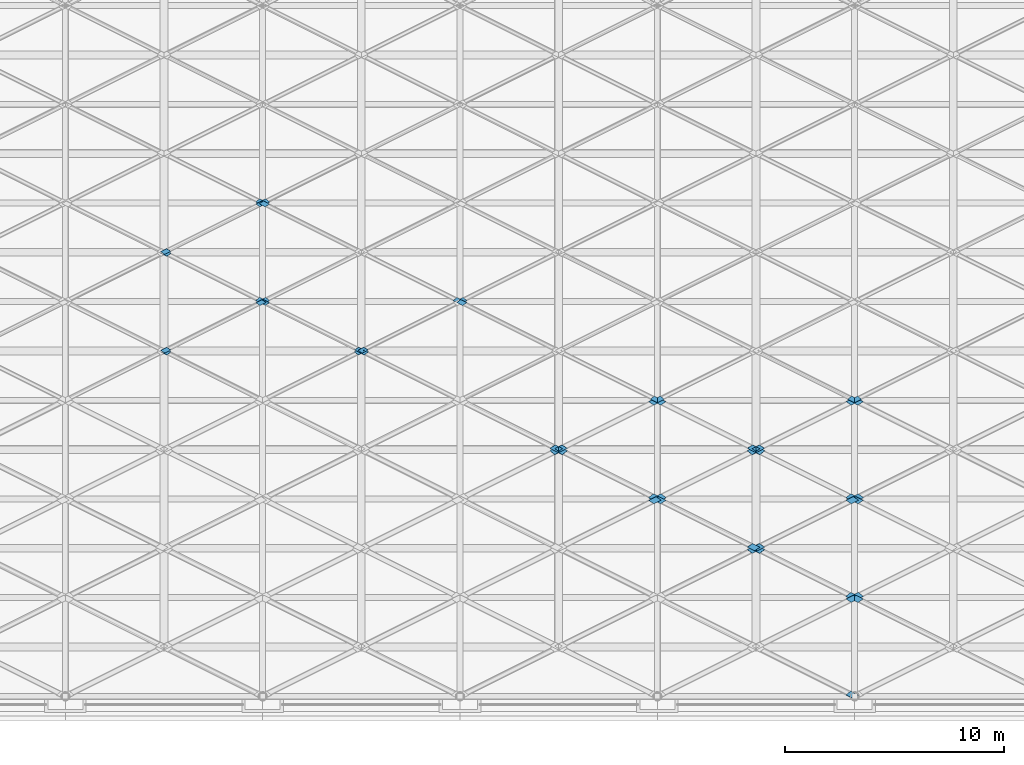
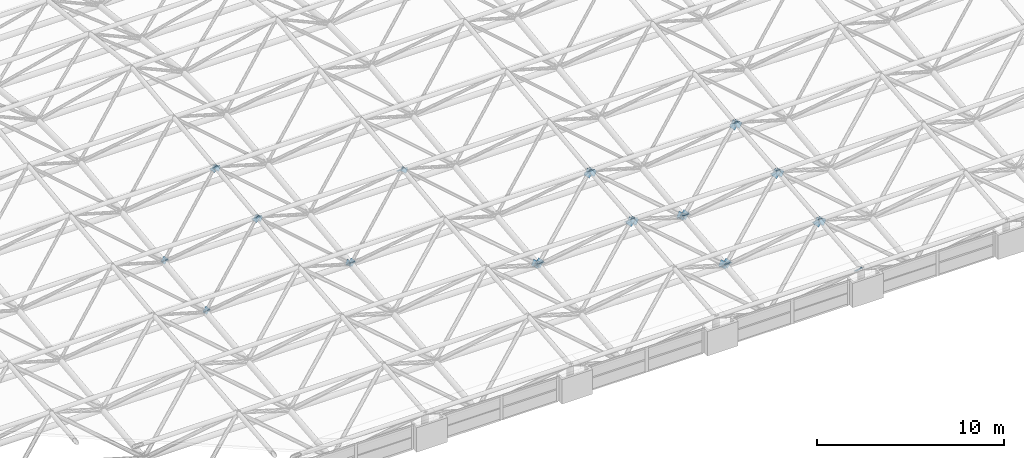
# One storey, part 32 of 53: 52 discrete accessories.
"""IFC4 building model written with IfcOpenShell, lengths in metres."""

from ifc_helpers import new_model, si_unit, direction, frame, origin, place, context, subcontext, project, spatial, polyline, outline, extrude, material, layer, layer_set, type_object, element, save


model = new_model("IFC4")

# Units and contexts
model_context = context("Model", 3, precision=1e-05, world=origin(), true_north=direction((0.0, 1.0)))
body_context = subcontext(model_context, "Body", "Model", "MODEL_VIEW")
ifc_project = project(units=[si_unit("LENGTHUNIT", "METRE"), si_unit("AREAUNIT", "SQUARE_METRE"), si_unit("VOLUMEUNIT", "CUBIC_METRE"), si_unit("PLANEANGLEUNIT", "RADIAN"), si_unit("MASSUNIT", "GRAM", prefix="KILO")], contexts=[model_context])

# Site, building, storey
site_placement = place(None, origin())
site = spatial("IfcSite", under=ifc_project, at=site_placement, CompositionType="ELEMENT")
building_placement = place(site_placement, origin())
building = spatial("IfcBuilding", under=site, at=building_placement, Name="Aravalli Gate Trade Fair Centre", CompositionType="ELEMENT")
storey_placement = place(building_placement, frame((0.0, 0.0, 25.199951171875)))
storey = spatial("IfcBuildingStorey", under=building, at=storey_placement, Name="ROOF LEVEL 2", CompositionType="ELEMENT", Elevation=25.199951171875)

# Discrete accessories
ifc_material = material(Name="Steel E350", Category="steel")
ifc_layer_1 = layer(ifc_material, 0.011962890625)
ifc_layer_set_1 = layer_set([ifc_layer_1], Name="Steel E350")
discrete_accessory_type_1 = type_object("IfcDiscreteAccessoryType", Name="Gusset plate 291 x 291 x 12", PredefinedType="USERDEFINED", material=ifc_layer_set_1)
discrete_accessory_1_placement = place(storey_placement, frame((46.181884765625, 61.713134765625, 0.479248046875), z_axis=(0.000260921892, 0.770886805608, 0.636972106814), x_axis=(0.786233024012, 0.393446097564, -0.476484837392)))
element("IfcDiscreteAccessory", 1, at=discrete_accessory_1_placement, inside=storey, type_object=discrete_accessory_type_1, Name="Gusset plate Space frame web diagonal D2A end B", ObjectType="GUSSET PLATE", PredefinedType="USERDEFINED", context=body_context, shape_type="SweptSolid", body=[
    extrude(outline(polyline([(0.0, 0.0), (0.3704496717105797, -1.3877787807814457e-17), (0.37041105616888137, -0.29044341854454775), (-0.00023056696357631745, -0.2902925567125407), (0.0, 0.0)])), origin(), (0.0, 0.0, -1.0), 0.011962890625),
])
for number, where, z_axis, x_axis, name in (
    (2, (60.138916015625, 59.691650390625, 2.92724609375), (-6.9765199e-05, 0.771154883137, 0.636647580178), (-0.786484474244, -0.393242254842, 0.476238071536), "Gusset plate Space frame web diagonal D2A end A"),
    (3, (69.138916015625, 59.691650390625, 2.92724609375), (-6.9765199e-05, 0.771154883137, 0.636647580178), (-0.786484474244, -0.393242254842, 0.476238071536), "Gusset plate Space frame web diagonal D2A end A"),
    (4, (42.138916015625, 64.191650390625, 3.477294921875), (-6.9765199e-05, 0.771154883137, 0.636647580178), (-0.786484474244, -0.393242254842, 0.476238071536), "Gusset plate Space frame web diagonal D2A end A"),
    (5, (51.138916015625, 64.191650390625, 3.477294921875), (-6.9765199e-05, 0.771154883137, 0.636647580178), (-0.786484474244, -0.393242254842, 0.476238071536), "Gusset plate Space frame web diagonal D2A end A"),
):
    element("IfcDiscreteAccessory", number, at=place(storey_placement, frame(where, z_axis=z_axis, x_axis=x_axis)), inside=storey, type_object=discrete_accessory_type_1, Name=name, ObjectType="GUSSET PLATE", PredefinedType="USERDEFINED", context=body_context, shape_type="SweptSolid", body=[
        extrude(outline(polyline([(0.0, 0.0), (0.37064165383501635, -1.3877787807814457e-17), (0.3706783195979393, 0.29059144692340316), (0.00022867857401766278, 0.2904406632211646), (0.0, 0.0)])), origin(), (0.0, 0.0, -1.0), 0.011962890625),
    ])
for number, where, z_axis, x_axis, name in (
    (6, (37.638916015625, 61.567626953125, 0.6552734375), (-0.000260921892, 0.770886805608, 0.636972106814), (-0.786484474223, 0.393242170877, -0.476238140902), "Gusset plate Space frame web diagonal D2B end B"),
    (7, (46.638916015625, 61.567626953125, 0.6552734375), (-0.000260921892, 0.770886805608, 0.636972106814), (-0.786484474223, 0.393242170877, -0.476238140902), "Gusset plate Space frame web diagonal D2B end B"),
):
    element("IfcDiscreteAccessory", number, at=place(storey_placement, frame(where, z_axis=z_axis, x_axis=x_axis)), inside=storey, type_object=discrete_accessory_type_1, Name=name, ObjectType="GUSSET PLATE", PredefinedType="USERDEFINED", context=body_context, shape_type="SweptSolid", body=[
        extrude(outline(polyline([(0.0, 0.0), (0.37064165383501513, 1.3877787807814457e-17), (0.37056205053393565, -0.29044341020294784), (0.00011240951001027788, -0.2902926265131968), (0.0, 0.0)])), origin(), (0.0, 0.0, -1.0), 0.011962890625),
    ])
for number, where, z_axis, x_axis, name in (
    (8, (59.681884765625, 59.546142578125, 3.103515625), (6.9765199e-05, 0.771154883137, 0.636647580178), (0.786233023991, -0.393446013556, 0.476484906794), "Gusset plate Space frame web diagonal D2B end A"),
    (9, (68.681884765625, 59.546142578125, 3.103515625), (6.9765199e-05, 0.771154883137, 0.636647580178), (0.786233023991, -0.393446013556, 0.476484906794), "Gusset plate Space frame web diagonal D2B end A"),
    (10, (41.681884765625, 64.046142578125, 3.653564453125), (6.9765199e-05, 0.771154883137, 0.636647580178), (0.786233023991, -0.393446013556, 0.476484906794), "Gusset plate Space frame web diagonal D2B end A"),
):
    element("IfcDiscreteAccessory", number, at=place(storey_placement, frame(where, z_axis=z_axis, x_axis=x_axis)), inside=storey, type_object=discrete_accessory_type_1, Name=name, ObjectType="GUSSET PLATE", PredefinedType="USERDEFINED", context=body_context, shape_type="SweptSolid", body=[
        extrude(outline(polyline([(0.0, 0.0), (0.37044967171058096, 2.7755575615628914e-17), (0.3702947268495056, 0.290591407927876), (-0.0003468962829482891, 0.29044054608337494), (0.0, 0.0)])), origin(), (0.0, 0.0, -1.0), 0.011962890625),
    ])
discrete_accessory_2_placement = place(storey_placement, frame((37.638916015625, 66.067626953125, 1.205322265625), z_axis=(6.9765199e-05, 0.771154883137, 0.636647580178), x_axis=(-0.786484474244, 0.393242254842, -0.476238071536)))
element("IfcDiscreteAccessory", 11, at=discrete_accessory_2_placement, inside=storey, type_object=discrete_accessory_type_1, Name="Gusset plate Space frame web diagonal D2B end B", ObjectType="GUSSET PLATE", PredefinedType="USERDEFINED", context=body_context, shape_type="SweptSolid", body=[
    extrude(outline(polyline([(0.0, 0.0), (0.37064165383501635, 1.3877787807814457e-17), (0.3706783195979393, -0.29059144692340316), (0.00022867857401766278, -0.2904406632211646), (0.0, 0.0)])), origin(), (0.0, 0.0, -1.0), 0.011962890625),
])
discrete_accessory_3_placement = place(storey_placement, frame((50.681884765625, 64.046142578125, 3.653564453125), z_axis=(6.9765199e-05, 0.771154883137, 0.636647580178), x_axis=(0.786233023991, -0.393446013556, 0.476484906794)))
element("IfcDiscreteAccessory", 12, at=discrete_accessory_3_placement, inside=storey, type_object=discrete_accessory_type_1, Name="Gusset plate Space frame web diagonal D2B end A", ObjectType="GUSSET PLATE", PredefinedType="USERDEFINED", context=body_context, shape_type="SweptSolid", body=[
    extrude(outline(polyline([(0.0, 0.0), (0.37044967171058096, 2.7755575615628914e-17), (0.3702947268495056, 0.290591407927876), (-0.0003468962829482891, 0.29044054608337494), (0.0, 0.0)])), origin(), (0.0, 0.0, -1.0), 0.011962890625),
])
discrete_accessory_4_placement = place(storey_placement, frame((42.12158203125, 63.824462890625, 3.455078125), z_axis=(-5.9235462e-05, -0.824355565608, 0.566072343383), x_axis=(-0.74910175115, 0.37503400761, 0.546073309694)))
element("IfcDiscreteAccessory", 13, at=discrete_accessory_4_placement, inside=storey, type_object=discrete_accessory_type_1, Name="Gusset plate Space frame web diagonal D2C end A", ObjectType="GUSSET PLATE", PredefinedType="USERDEFINED", context=body_context, shape_type="SweptSolid", body=[
    extrude(outline(polyline([(0.0, 0.0), (0.37056099002046733, -1.3877787807814457e-17), (0.3708571273038952, -0.29037522366126584), (0.00024656979283793623, -0.29068772448272373), (0.0, 0.0)])), origin(), (0.0, 0.0, -1.0), 0.011962890625),
])
discrete_accessory_5_placement = place(storey_placement, frame((46.18603515625, 61.792236328125, 0.4970703125), z_axis=(-0.000338926475, -0.824215745649, 0.566275807141), x_axis=(0.749929468437, -0.374811008577, -0.545089442403)))
element("IfcDiscreteAccessory", 14, at=discrete_accessory_5_placement, inside=storey, type_object=discrete_accessory_type_1, Name="Gusset plate Space frame web diagonal D2C end B", ObjectType="GUSSET PLATE", PredefinedType="USERDEFINED", context=body_context, shape_type="SweptSolid", body=[
    extrude(outline(polyline([(0.0, 0.0), (0.3704775800363668, 1.3877787807814457e-17), (0.37054452148215117, 0.29037536695413646), (0.00011695121776518491, 0.29068780553250784), (0.0, 0.0)])), origin(), (0.0, 0.0, -1.0), 0.011962890625),
])
discrete_accessory_6_placement = place(storey_placement, frame((51.12158203125, 63.824462890625, 3.455078125), z_axis=(-5.9235462e-05, -0.824355565608, 0.566072343383), x_axis=(-0.74910175115, 0.37503400761, 0.546073309694)))
element("IfcDiscreteAccessory", 15, at=discrete_accessory_6_placement, inside=storey, type_object=discrete_accessory_type_1, Name="Gusset plate Space frame web diagonal D2C end A", ObjectType="GUSSET PLATE", PredefinedType="USERDEFINED", context=body_context, shape_type="SweptSolid", body=[
    extrude(outline(polyline([(0.0, 0.0), (0.37056099002046733, -1.3877787807814457e-17), (0.3708571273038952, -0.29037522366126584), (0.00024656979283793623, -0.29068772448272373), (0.0, 0.0)])), origin(), (0.0, 0.0, -1.0), 0.011962890625),
])
discrete_accessory_7_placement = place(storey_placement, frame((42.12158203125, 68.324462890625, 4.005126953125), z_axis=(-5.9235462e-05, -0.824355565608, 0.566072343383), x_axis=(-0.74937131646, 0.374861397834, 0.545821914622)))
element("IfcDiscreteAccessory", 16, at=discrete_accessory_7_placement, inside=storey, type_object=discrete_accessory_type_1, Name="Gusset plate Space frame web diagonal D2C end A", ObjectType="GUSSET PLATE", PredefinedType="USERDEFINED", context=body_context, shape_type="SweptSolid", body=[
    extrude(outline(polyline([(0.0, 0.0), (0.3704277020236978, 0.0), (0.37073891027907924, -0.290526143046557), (-5.001029550574798e-06, -0.29053697785674903), (0.0, 0.0)])), origin(), (0.0, 0.0, -1.0), 0.011962890625),
])
discrete_accessory_8_placement = place(storey_placement, frame((41.68603515625, 63.94775390625, 3.634765625), z_axis=(5.9235462e-05, -0.824355565608, 0.566072343383), x_axis=(0.749660070237, 0.374676343996, 0.545552395598)))
element("IfcDiscreteAccessory", 17, at=discrete_accessory_8_placement, inside=storey, type_object=discrete_accessory_type_1, Name="Gusset plate Space frame web diagonal D2D end A", ObjectType="GUSSET PLATE", PredefinedType="USERDEFINED", context=body_context, shape_type="SweptSolid", body=[
    extrude(outline(polyline([(0.0, 0.0), (0.3706106892622231, -1.3877787807814457e-17), (0.3705593979521325, -0.2903753701380719), (-1.4603348369723879e-06, -0.29068782905287593), (0.0, 0.0)])), origin(), (0.0, 0.0, -1.0), 0.011962890625),
])
for number, where, z_axis, x_axis, name in (
    (18, (37.62158203125, 61.91552734375, 0.6767578125), (0.000338926475, -0.824215745649, 0.566275807141), (-0.74937124219, -0.375168906268, -0.545610697428), "Gusset plate Space frame web diagonal D2D end B"),
    (19, (46.62158203125, 61.91552734375, 0.6767578125), (0.000338926475, -0.824215745649, 0.566275807141), (-0.74937124219, -0.375168906268, -0.545610697428), "Gusset plate Space frame web diagonal D2D end B"),
):
    element("IfcDiscreteAccessory", number, at=place(storey_placement, frame(where, z_axis=z_axis, x_axis=x_axis)), inside=storey, type_object=discrete_accessory_type_1, Name=name, ObjectType="GUSSET PLATE", PredefinedType="USERDEFINED", context=body_context, shape_type="SweptSolid", body=[
        extrude(outline(polyline([(0.0, 0.0), (0.3704277020281311, 2.7755575615628914e-17), (0.37060567875441897, 0.29037532012757467), (0.00012823049953920862, 0.29068780077573153), (0.0, 0.0)])), origin(), (0.0, 0.0, -1.0), 0.011962890625),
    ])
discrete_accessory_9_placement = place(storey_placement, frame((41.68603515625, 68.44775390625, 4.1845703125), z_axis=(5.9235462e-05, -0.824355565608, 0.566072343383), x_axis=(0.749390667151, 0.374849001628, 0.545803860343)))
element("IfcDiscreteAccessory", 20, at=discrete_accessory_9_placement, inside=storey, type_object=discrete_accessory_type_1, Name="Gusset plate Space frame web diagonal D2D end A", ObjectType="GUSSET PLATE", PredefinedType="USERDEFINED", context=body_context, shape_type="SweptSolid", body=[
    extrude(outline(polyline([(0.0, 0.0), (0.37074391146695085, 0.0), (0.3704411936966931, -0.2905261520174016), (1.3491831181253189e-05, -0.2905369775865267), (0.0, 0.0)])), origin(), (0.0, 0.0, -1.0), 0.011962890625),
])
discrete_accessory_10_placement = place(storey_placement, frame((37.62158203125, 66.41552734375, 1.226806640625), z_axis=(0.000356491483, -0.824386555112, 0.566027102411), x_axis=(-0.749371292409, -0.375015088164, -0.54571636384)))
element("IfcDiscreteAccessory", 21, at=discrete_accessory_10_placement, inside=storey, type_object=discrete_accessory_type_1, Name="Gusset plate Space frame web diagonal D2D end B", ObjectType="GUSSET PLATE", PredefinedType="USERDEFINED", context=body_context, shape_type="SweptSolid", body=[
    extrude(outline(polyline([(0.0, 0.0), (0.3704277084701571, 1.3877787807814457e-17), (0.3707389038272042, 0.29052615127976134), (0.00012824338136119273, 0.2906878089792164), (0.0, 0.0)])), origin(), (0.0, 0.0, -1.0), 0.011962890625),
])
discrete_accessory_11_placement = place(storey_placement, frame((42.138671875, 68.69140625, 4.027099609375), z_axis=(0.000259688153, 0.77158167438, 0.636130216483), x_axis=(-0.786189750281, -0.392961505637, 0.476955901148)))
element("IfcDiscreteAccessory", 22, at=discrete_accessory_11_placement, inside=storey, type_object=discrete_accessory_type_1, Name="Gusset plate Space frame web diagonal D3A end A", ObjectType="GUSSET PLATE", PredefinedType="USERDEFINED", context=body_context, shape_type="SweptSolid", body=[
    extrude(outline(polyline([(0.0, 0.0), (0.37047009323158403, -1.3877787807814457e-17), (0.3706453255393415, 0.29059138113822636), (7.929444017017173e-05, 0.29046925152010133), (0.0, 0.0)])), origin(), (0.0, 0.0, -1.0), 0.011962890625),
])
discrete_accessory_12_placement = place(storey_placement, frame((41.681884765625, 68.546142578125, 4.203369140625), z_axis=(-0.000259688153, 0.77158167438, 0.636130216483), x_axis=(0.785986034617, -0.393126352276, 0.477155765483)))
element("IfcDiscreteAccessory", 23, at=discrete_accessory_12_placement, inside=storey, type_object=discrete_accessory_type_1, Name="Gusset plate Space frame web diagonal D3B end A", ObjectType="GUSSET PLATE", PredefinedType="USERDEFINED", context=body_context, shape_type="SweptSolid", body=[
    extrude(outline(polyline([(0.0, 0.0), (0.3705660512246577, 1.3877787807814457e-17), (0.3702950470274762, 0.2905913076038385), (-0.0001750260838329909, 0.2904692096111498), (0.0, 0.0)])), origin(), (0.0, 0.0, -1.0), 0.011962890625),
])
ifc_layer_2 = layer(ifc_material, 0.011962890625)
ifc_layer_set_2 = layer_set([ifc_layer_2], Name="Steel E350")
discrete_accessory_type_2 = type_object("IfcDiscreteAccessoryType", Name="Gusset plate 367 x 367 x 12", PredefinedType="USERDEFINED", material=ifc_layer_set_2)
discrete_accessory_13_placement = place(storey_placement, frame((64.0986328125, 52.701416015625, -0.45556640625), z_axis=(-0.000106895173, 0.77673595722, 0.629826358082), x_axis=(0.783044443413, 0.391795440284, -0.483050445204)))
element("IfcDiscreteAccessory", 24, at=discrete_accessory_13_placement, inside=storey, type_object=discrete_accessory_type_2, Name="Gusset plate Space frame web diagonal D1A end B", ObjectType="GUSSET PLATE", PredefinedType="USERDEFINED", context=body_context, shape_type="SweptSolid", body=[
    extrude(outline(polyline([(0.0, 0.0), (0.4467862821424865, 0.0), (0.4468639253124893, -0.3669184164565776), (7.764317000273635e-05, -0.36691841645657763), (0.0, 0.0)])), origin(), (0.0, 0.0, -1.0), 0.011962890625),
])
discrete_accessory_14_placement = place(storey_placement, frame((69.173095703125, 50.73876953125, 1.965087890625), z_axis=(-0.000106895173, 0.77673595722, 0.629826358082), x_axis=(-0.783044443413, -0.391795440284, 0.483050445204)))
element("IfcDiscreteAccessory", 25, at=discrete_accessory_14_placement, inside=storey, type_object=discrete_accessory_type_2, Name="Gusset plate Space frame web diagonal D1A end A", ObjectType="GUSSET PLATE", PredefinedType="USERDEFINED", context=body_context, shape_type="SweptSolid", body=[
    extrude(outline(polyline([(0.0, 0.0), (0.4467862821424865, 0.0), (0.4467086389724838, 0.36691841645657763), (-7.764317000273635e-05, 0.36691841645657763), (0.0, 0.0)])), origin(), (0.0, 0.0, -1.0), 0.011962890625),
])
discrete_accessory_15_placement = place(storey_placement, frame((55.0986328125, 57.201416015625, -0.005615234375), z_axis=(-0.000106895173, 0.77673595722, 0.629826358082), x_axis=(0.783044443413, 0.391795440284, -0.483050445204)))
element("IfcDiscreteAccessory", 26, at=discrete_accessory_15_placement, inside=storey, type_object=discrete_accessory_type_2, Name="Gusset plate Space frame web diagonal D1A end B", ObjectType="GUSSET PLATE", PredefinedType="USERDEFINED", context=body_context, shape_type="SweptSolid", body=[
    extrude(outline(polyline([(0.0, 0.0), (0.4467862821424865, 0.0), (0.4468639253124893, -0.3669184164565776), (7.764317000273635e-05, -0.36691841645657763), (0.0, 0.0)])), origin(), (0.0, 0.0, -1.0), 0.011962890625),
])
discrete_accessory_16_placement = place(storey_placement, frame((60.173095703125, 55.23876953125, 2.4150390625), z_axis=(-0.000106895173, 0.77673595722, 0.629826358082), x_axis=(-0.783044443413, -0.391795440284, 0.483050445204)))
element("IfcDiscreteAccessory", 27, at=discrete_accessory_16_placement, inside=storey, type_object=discrete_accessory_type_2, Name="Gusset plate Space frame web diagonal D1A end A", ObjectType="GUSSET PLATE", PredefinedType="USERDEFINED", context=body_context, shape_type="SweptSolid", body=[
    extrude(outline(polyline([(0.0, 0.0), (0.4467862821424865, 0.0), (0.4467086389724838, 0.36691841645657763), (-7.764317000273635e-05, 0.36691841645657763), (0.0, 0.0)])), origin(), (0.0, 0.0, -1.0), 0.011962890625),
])
discrete_accessory_17_placement = place(storey_placement, frame((64.0986328125, 57.201416015625, -0.005615234375), z_axis=(-0.000106895173, 0.77673595722, 0.629826358082), x_axis=(0.783044443413, 0.391795440284, -0.483050445204)))
element("IfcDiscreteAccessory", 28, at=discrete_accessory_17_placement, inside=storey, type_object=discrete_accessory_type_2, Name="Gusset plate Space frame web diagonal D1A end B", ObjectType="GUSSET PLATE", PredefinedType="USERDEFINED", context=body_context, shape_type="SweptSolid", body=[
    extrude(outline(polyline([(0.0, 0.0), (0.4467862821424865, 0.0), (0.4468639253124893, -0.3669184164565776), (7.764317000273635e-05, -0.36691841645657763), (0.0, 0.0)])), origin(), (0.0, 0.0, -1.0), 0.011962890625),
])
discrete_accessory_18_placement = place(storey_placement, frame((69.173095703125, 55.23876953125, 2.4150390625), z_axis=(-0.000106895173, 0.77673595722, 0.629826358082), x_axis=(-0.783044443413, -0.391795440284, 0.483050445204)))
element("IfcDiscreteAccessory", 29, at=discrete_accessory_18_placement, inside=storey, type_object=discrete_accessory_type_2, Name="Gusset plate Space frame web diagonal D1A end A", ObjectType="GUSSET PLATE", PredefinedType="USERDEFINED", context=body_context, shape_type="SweptSolid", body=[
    extrude(outline(polyline([(0.0, 0.0), (0.4467862821424865, 0.0), (0.4467086389724838, 0.36691841645657763), (-7.764317000273635e-05, 0.36691841645657763), (0.0, 0.0)])), origin(), (0.0, 0.0, -1.0), 0.011962890625),
])
for number, where, z_axis, x_axis, name in (
    (30, (68.5986328125, 46.057861328125, 1.73828125), (0.000106895173, 0.77673595722, 0.629826358082), (0.783044443413, -0.391795440284, 0.483050445204), "Gusset plate Space frame web diagonal D1B end A"),
    (31, (68.5986328125, 50.557861328125, 2.188232421875), (0.000106895173, 0.77673595722, 0.629826358082), (0.783044443413, -0.391795440284, 0.483050445204), "Gusset plate Space frame web diagonal D1B end A"),
):
    element("IfcDiscreteAccessory", number, at=place(storey_placement, frame(where, z_axis=z_axis, x_axis=x_axis)), inside=storey, type_object=discrete_accessory_type_2, Name=name, ObjectType="GUSSET PLATE", PredefinedType="USERDEFINED", context=body_context, shape_type="SweptSolid", body=[
        extrude(outline(polyline([(0.0, 0.0), (0.4467862821424865, 0.0), (0.4468639253124893, 0.3669184164565776), (7.764317000273635e-05, 0.36691841645657763), (0.0, 0.0)])), origin(), (0.0, 0.0, -1.0), 0.011962890625),
    ])
discrete_accessory_19_placement = place(storey_placement, frame((64.673095703125, 52.5205078125, -0.232421875), z_axis=(0.000106895173, 0.77673595722, 0.629826358082), x_axis=(-0.783044443413, 0.391795440284, -0.483050445204)))
element("IfcDiscreteAccessory", 32, at=discrete_accessory_19_placement, inside=storey, type_object=discrete_accessory_type_2, Name="Gusset plate Space frame web diagonal D1B end B", ObjectType="GUSSET PLATE", PredefinedType="USERDEFINED", context=body_context, shape_type="SweptSolid", body=[
    extrude(outline(polyline([(0.0, 0.0), (0.4467862821424865, 0.0), (0.4467086389724838, -0.36691841645657763), (-7.764317000273635e-05, -0.36691841645657763), (0.0, 0.0)])), origin(), (0.0, 0.0, -1.0), 0.011962890625),
])
discrete_accessory_20_placement = place(storey_placement, frame((59.5986328125, 55.057861328125, 2.63818359375), z_axis=(0.000106895173, 0.77673595722, 0.629826358082), x_axis=(0.783044443413, -0.391795440284, 0.483050445204)))
element("IfcDiscreteAccessory", 33, at=discrete_accessory_20_placement, inside=storey, type_object=discrete_accessory_type_2, Name="Gusset plate Space frame web diagonal D1B end A", ObjectType="GUSSET PLATE", PredefinedType="USERDEFINED", context=body_context, shape_type="SweptSolid", body=[
    extrude(outline(polyline([(0.0, 0.0), (0.4467862821424865, 0.0), (0.4468639253124893, 0.3669184164565776), (7.764317000273635e-05, 0.36691841645657763), (0.0, 0.0)])), origin(), (0.0, 0.0, -1.0), 0.011962890625),
])
discrete_accessory_21_placement = place(storey_placement, frame((55.673095703125, 57.0205078125, 0.217529296875), z_axis=(0.000106895173, 0.77673595722, 0.629826358082), x_axis=(-0.783044443413, 0.391795440284, -0.483050445204)))
element("IfcDiscreteAccessory", 34, at=discrete_accessory_21_placement, inside=storey, type_object=discrete_accessory_type_2, Name="Gusset plate Space frame web diagonal D1B end B", ObjectType="GUSSET PLATE", PredefinedType="USERDEFINED", context=body_context, shape_type="SweptSolid", body=[
    extrude(outline(polyline([(0.0, 0.0), (0.4467862821424865, 0.0), (0.4467086389724838, -0.36691841645657763), (-7.764317000273635e-05, -0.36691841645657763), (0.0, 0.0)])), origin(), (0.0, 0.0, -1.0), 0.011962890625),
])
discrete_accessory_22_placement = place(storey_placement, frame((68.5986328125, 55.057861328125, 2.63818359375), z_axis=(0.000106895173, 0.77673595722, 0.629826358082), x_axis=(0.783044443413, -0.391795440284, 0.483050445204)))
element("IfcDiscreteAccessory", 35, at=discrete_accessory_22_placement, inside=storey, type_object=discrete_accessory_type_2, Name="Gusset plate Space frame web diagonal D1B end A", ObjectType="GUSSET PLATE", PredefinedType="USERDEFINED", context=body_context, shape_type="SweptSolid", body=[
    extrude(outline(polyline([(0.0, 0.0), (0.4467862821424865, 0.0), (0.4468639253124893, 0.3669184164565776), (7.764317000273635e-05, 0.36691841645657763), (0.0, 0.0)])), origin(), (0.0, 0.0, -1.0), 0.011962890625),
])
discrete_accessory_23_placement = place(storey_placement, frame((64.673095703125, 57.0205078125, 0.217529296875), z_axis=(0.000106895173, 0.77673595722, 0.629826358082), x_axis=(-0.783044443413, 0.391795440284, -0.483050445204)))
element("IfcDiscreteAccessory", 36, at=discrete_accessory_23_placement, inside=storey, type_object=discrete_accessory_type_2, Name="Gusset plate Space frame web diagonal D1B end B", ObjectType="GUSSET PLATE", PredefinedType="USERDEFINED", context=body_context, shape_type="SweptSolid", body=[
    extrude(outline(polyline([(0.0, 0.0), (0.4467862821424865, 0.0), (0.4467086389724838, -0.36691841645657763), (-7.764317000273635e-05, -0.36691841645657763), (0.0, 0.0)])), origin(), (0.0, 0.0, -1.0), 0.011962890625),
])
discrete_accessory_24_placement = place(storey_placement, frame((69.155517578125, 50.278076171875, 1.9423828125), z_axis=(-0.000292195819, -0.820164189793, 0.572128146837), x_axis=(-0.753132087854, 0.376566043927, 0.539434956975)))
element("IfcDiscreteAccessory", 37, at=discrete_accessory_24_placement, inside=storey, type_object=discrete_accessory_type_2, Name="Gusset plate Space frame web diagonal D1C end A", ObjectType="GUSSET PLATE", PredefinedType="USERDEFINED", context=body_context, shape_type="SweptSolid", body=[
    extrude(outline(polyline([(0.0, 0.0), (0.4467022275054028, -2.7755575615628914e-17), (0.4467362528213333, -0.36669377191730207), (3.402531593046931e-05, -0.366693771917302), (0.0, 0.0)])), origin(), (0.0, 0.0, -1.0), 0.011962890625),
])
discrete_accessory_25_placement = place(storey_placement, frame((60.155517578125, 54.778076171875, 2.392333984375), z_axis=(-4.9126691e-05, -0.820140995503, 0.572161467667), x_axis=(-0.752910034648, 0.376583216139, 0.539732860821)))
element("IfcDiscreteAccessory", 38, at=discrete_accessory_25_placement, inside=storey, type_object=discrete_accessory_type_2, Name="Gusset plate Space frame web diagonal D1C end A", ObjectType="GUSSET PLATE", PredefinedType="USERDEFINED", context=body_context, shape_type="SweptSolid", body=[
    extrude(outline(polyline([(0.0, 0.0), (0.4468339673229258, 0.0), (0.4468599899280901, -0.36654297340046177), (0.00015779332313807515, -0.366693732894023), (0.0, 0.0)])), origin(), (0.0, 0.0, -1.0), 0.011962890625),
])
discrete_accessory_26_placement = place(storey_placement, frame((64.103271484375, 52.80419921875, -0.436767578125), z_axis=(-4.9126691e-05, -0.820140995503, 0.572161467667), x_axis=(0.752910034648, -0.376583216139, -0.539732860821)))
element("IfcDiscreteAccessory", 39, at=discrete_accessory_26_placement, inside=storey, type_object=discrete_accessory_type_2, Name="Gusset plate Space frame web diagonal D1C end B", ObjectType="GUSSET PLATE", PredefinedType="USERDEFINED", context=body_context, shape_type="SweptSolid", body=[
    extrude(outline(polyline([(0.0, 0.0), (0.4468339673229258, 0.0), (0.44667617399978776, 0.366693732894023), (-2.6022605164321977e-05, 0.3665429734004617), (0.0, 0.0)])), origin(), (0.0, 0.0, -1.0), 0.011962890625),
])
discrete_accessory_27_placement = place(storey_placement, frame((69.155517578125, 54.778076171875, 2.392333984375), z_axis=(-4.9126691e-05, -0.820140995503, 0.572161467667), x_axis=(-0.752910034648, 0.376583216139, 0.539732860821)))
element("IfcDiscreteAccessory", 40, at=discrete_accessory_27_placement, inside=storey, type_object=discrete_accessory_type_2, Name="Gusset plate Space frame web diagonal D1C end A", ObjectType="GUSSET PLATE", PredefinedType="USERDEFINED", context=body_context, shape_type="SweptSolid", body=[
    extrude(outline(polyline([(0.0, 0.0), (0.4468339673229258, 0.0), (0.4468599899280901, -0.36654297340046177), (0.00015779332313807515, -0.366693732894023), (0.0, 0.0)])), origin(), (0.0, 0.0, -1.0), 0.011962890625),
])
discrete_accessory_28_placement = place(storey_placement, frame((55.103271484375, 57.30419921875, 0.01318359375), z_axis=(-5.6748583e-05, -0.820281851296, 0.571959510117), x_axis=(0.752910033129, -0.376455016564, -0.539822287904)))
element("IfcDiscreteAccessory", 41, at=discrete_accessory_28_placement, inside=storey, type_object=discrete_accessory_type_2, Name="Gusset plate Space frame web diagonal D1C end B", ObjectType="GUSSET PLATE", PredefinedType="USERDEFINED", context=body_context, shape_type="SweptSolid", body=[
    extrude(outline(polyline([(0.0, 0.0), (0.44683397278152426, 2.7755575615628914e-17), (0.446676168543117, 0.36669373954089096), (-0.0001578042384072914, 0.3666937395408909), (0.0, 0.0)])), origin(), (0.0, 0.0, -1.0), 0.011962890625),
])
discrete_accessory_29_placement = place(storey_placement, frame((60.155517578125, 59.278076171875, 2.84228515625), z_axis=(-5.6748583e-05, -0.820281851296, 0.571959510117), x_axis=(-0.752910033129, 0.376455016564, 0.539822287904)))
element("IfcDiscreteAccessory", 42, at=discrete_accessory_29_placement, inside=storey, type_object=discrete_accessory_type_2, Name="Gusset plate Space frame web diagonal D1C end A", ObjectType="GUSSET PLATE", PredefinedType="USERDEFINED", context=body_context, shape_type="SweptSolid", body=[
    extrude(outline(polyline([(0.0, 0.0), (0.44683397278152426, 2.7755575615628914e-17), (0.44699177701993154, -0.3666937395408909), (0.0001578042384072914, -0.3666937395408909), (0.0, 0.0)])), origin(), (0.0, 0.0, -1.0), 0.011962890625),
])
discrete_accessory_30_placement = place(storey_placement, frame((64.103271484375, 57.30419921875, 0.01318359375), z_axis=(-5.6748583e-05, -0.820281851296, 0.571959510117), x_axis=(0.752910033129, -0.376455016564, -0.539822287904)))
element("IfcDiscreteAccessory", 43, at=discrete_accessory_30_placement, inside=storey, type_object=discrete_accessory_type_2, Name="Gusset plate Space frame web diagonal D1C end B", ObjectType="GUSSET PLATE", PredefinedType="USERDEFINED", context=body_context, shape_type="SweptSolid", body=[
    extrude(outline(polyline([(0.0, 0.0), (0.44683397278152426, 2.7755575615628914e-17), (0.446676168543117, 0.36669373954089096), (-0.0001578042384072914, 0.3666937395408909), (0.0, 0.0)])), origin(), (0.0, 0.0, -1.0), 0.011962890625),
])
discrete_accessory_31_placement = place(storey_placement, frame((69.155517578125, 59.278076171875, 2.84228515625), z_axis=(-5.6748583e-05, -0.820281851296, 0.571959510117), x_axis=(-0.752910033129, 0.376455016564, 0.539822287904)))
element("IfcDiscreteAccessory", 44, at=discrete_accessory_31_placement, inside=storey, type_object=discrete_accessory_type_2, Name="Gusset plate Space frame web diagonal D1C end A", ObjectType="GUSSET PLATE", PredefinedType="USERDEFINED", context=body_context, shape_type="SweptSolid", body=[
    extrude(outline(polyline([(0.0, 0.0), (0.44683397278152426, 2.7755575615628914e-17), (0.44699177701993154, -0.3666937395408909), (0.0001578042384072914, -0.3666937395408909), (0.0, 0.0)])), origin(), (0.0, 0.0, -1.0), 0.011962890625),
])
discrete_accessory_32_placement = place(storey_placement, frame((68.603271484375, 50.43603515625, 2.1689453125), z_axis=(0.000292195819, -0.820164189793, 0.572128146837), x_axis=(0.753132087854, 0.376566043927, 0.539434956975)))
element("IfcDiscreteAccessory", 45, at=discrete_accessory_32_placement, inside=storey, type_object=discrete_accessory_type_2, Name="Gusset plate Space frame web diagonal D1D end A", ObjectType="GUSSET PLATE", PredefinedType="USERDEFINED", context=body_context, shape_type="SweptSolid", body=[
    extrude(outline(polyline([(0.0, 0.0), (0.4467022275054028, 2.7755575615628914e-17), (0.4466682021894723, -0.366693771917302), (-3.402531593046931e-05, -0.366693771917302), (0.0, 0.0)])), origin(), (0.0, 0.0, -1.0), 0.011962890625),
])
for number, where, z_axis, x_axis, name in (
    (46, (59.603271484375, 54.93603515625, 2.618896484375), (4.9126691e-05, -0.820140995503, 0.572161467667), (0.753132104741, 0.376437815746, 0.539524423623), "Gusset plate Space frame web diagonal D1D end A"),
    (47, (68.603271484375, 54.93603515625, 2.618896484375), (4.9126691e-05, -0.820140995503, 0.572161467667), (0.753132104741, 0.376437815746, 0.539524423623), "Gusset plate Space frame web diagonal D1D end A"),
):
    element("IfcDiscreteAccessory", number, at=place(storey_placement, frame(where, z_axis=z_axis, x_axis=x_axis)), inside=storey, type_object=discrete_accessory_type_2, Name=name, ObjectType="GUSSET PLATE", PredefinedType="USERDEFINED", context=body_context, shape_type="SweptSolid", body=[
        extrude(outline(polyline([(0.0, 0.0), (0.4467022220451944, 0.0), (0.44679990563841726, -0.3665429613078707), (-3.4036236763179684e-05, -0.3666937652647241), (0.0, 0.0)])), origin(), (0.0, 0.0, -1.0), 0.011962890625),
    ])
discrete_accessory_33_placement = place(storey_placement, frame((64.655517578125, 52.962158203125, -0.21044921875), z_axis=(4.9126691e-05, -0.820140995503, 0.572161467667), x_axis=(-0.753132104741, -0.376437815746, -0.539524423623)))
element("IfcDiscreteAccessory", 48, at=discrete_accessory_33_placement, inside=storey, type_object=discrete_accessory_type_2, Name="Gusset plate Space frame web diagonal D1D end B", ObjectType="GUSSET PLATE", PredefinedType="USERDEFINED", context=body_context, shape_type="SweptSolid", body=[
    extrude(outline(polyline([(0.0, 0.0), (0.4467022220451944, 0.0), (0.44673625828195757, 0.3666937652647241), (-9.768359322287479e-05, 0.3665429613078708), (0.0, 0.0)])), origin(), (0.0, 0.0, -1.0), 0.011962890625),
])
discrete_accessory_34_placement = place(storey_placement, frame((59.603271484375, 59.43603515625, 3.06884765625), z_axis=(5.6748583e-05, -0.820281851296, 0.571959510117), x_axis=(0.752910033129, 0.376455016564, 0.539822287904)))
element("IfcDiscreteAccessory", 49, at=discrete_accessory_34_placement, inside=storey, type_object=discrete_accessory_type_2, Name="Gusset plate Space frame web diagonal D1D end A", ObjectType="GUSSET PLATE", PredefinedType="USERDEFINED", context=body_context, shape_type="SweptSolid", body=[
    extrude(outline(polyline([(0.0, 0.0), (0.44683397278152426, -2.7755575615628914e-17), (0.446676168543117, -0.36669373954089096), (-0.0001578042384072914, -0.3666937395408909), (0.0, 0.0)])), origin(), (0.0, 0.0, -1.0), 0.011962890625),
])
discrete_accessory_35_placement = place(storey_placement, frame((55.655517578125, 57.462158203125, 0.23974609375), z_axis=(5.6748583e-05, -0.820281851296, 0.571959510117), x_axis=(-0.752910033129, -0.376455016564, -0.539822287904)))
element("IfcDiscreteAccessory", 50, at=discrete_accessory_35_placement, inside=storey, type_object=discrete_accessory_type_2, Name="Gusset plate Space frame web diagonal D1D end B", ObjectType="GUSSET PLATE", PredefinedType="USERDEFINED", context=body_context, shape_type="SweptSolid", body=[
    extrude(outline(polyline([(0.0, 0.0), (0.44683397278152426, -2.7755575615628914e-17), (0.44699177701993154, 0.3666937395408909), (0.0001578042384072914, 0.3666937395408909), (0.0, 0.0)])), origin(), (0.0, 0.0, -1.0), 0.011962890625),
])
discrete_accessory_36_placement = place(storey_placement, frame((68.603271484375, 59.43603515625, 3.06884765625), z_axis=(5.6748583e-05, -0.820281851296, 0.571959510117), x_axis=(0.752910033129, 0.376455016564, 0.539822287904)))
element("IfcDiscreteAccessory", 51, at=discrete_accessory_36_placement, inside=storey, type_object=discrete_accessory_type_2, Name="Gusset plate Space frame web diagonal D1D end A", ObjectType="GUSSET PLATE", PredefinedType="USERDEFINED", context=body_context, shape_type="SweptSolid", body=[
    extrude(outline(polyline([(0.0, 0.0), (0.44683397278152426, -2.7755575615628914e-17), (0.446676168543117, -0.36669373954089096), (-0.0001578042384072914, -0.3666937395408909), (0.0, 0.0)])), origin(), (0.0, 0.0, -1.0), 0.011962890625),
])
discrete_accessory_37_placement = place(storey_placement, frame((64.655517578125, 57.462158203125, 0.23974609375), z_axis=(5.6748583e-05, -0.820281851296, 0.571959510117), x_axis=(-0.752910033129, -0.376455016564, -0.539822287904)))
element("IfcDiscreteAccessory", 52, at=discrete_accessory_37_placement, inside=storey, type_object=discrete_accessory_type_2, Name="Gusset plate Space frame web diagonal D1D end B", ObjectType="GUSSET PLATE", PredefinedType="USERDEFINED", context=body_context, shape_type="SweptSolid", body=[
    extrude(outline(polyline([(0.0, 0.0), (0.44683397278152426, -2.7755575615628914e-17), (0.44699177701993154, 0.3666937395408909), (0.0001578042384072914, 0.3666937395408909), (0.0, 0.0)])), origin(), (0.0, 0.0, -1.0), 0.011962890625),
])

save(model, "model.ifc")
